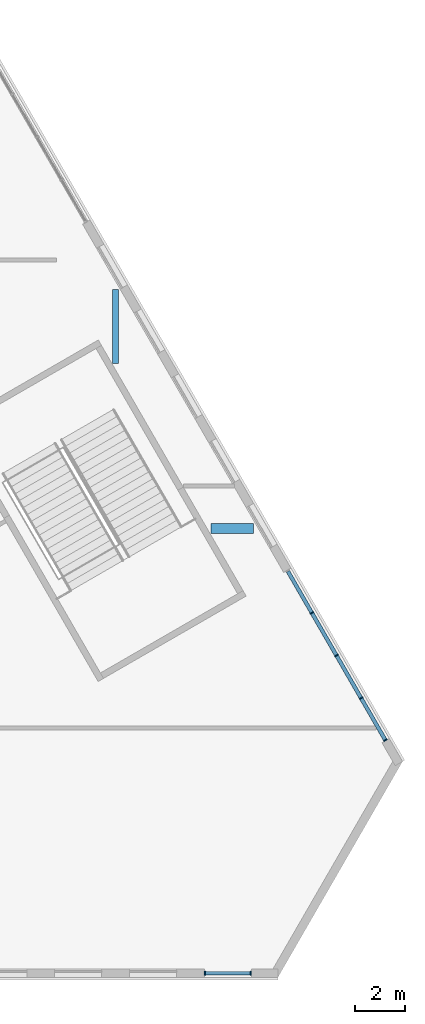
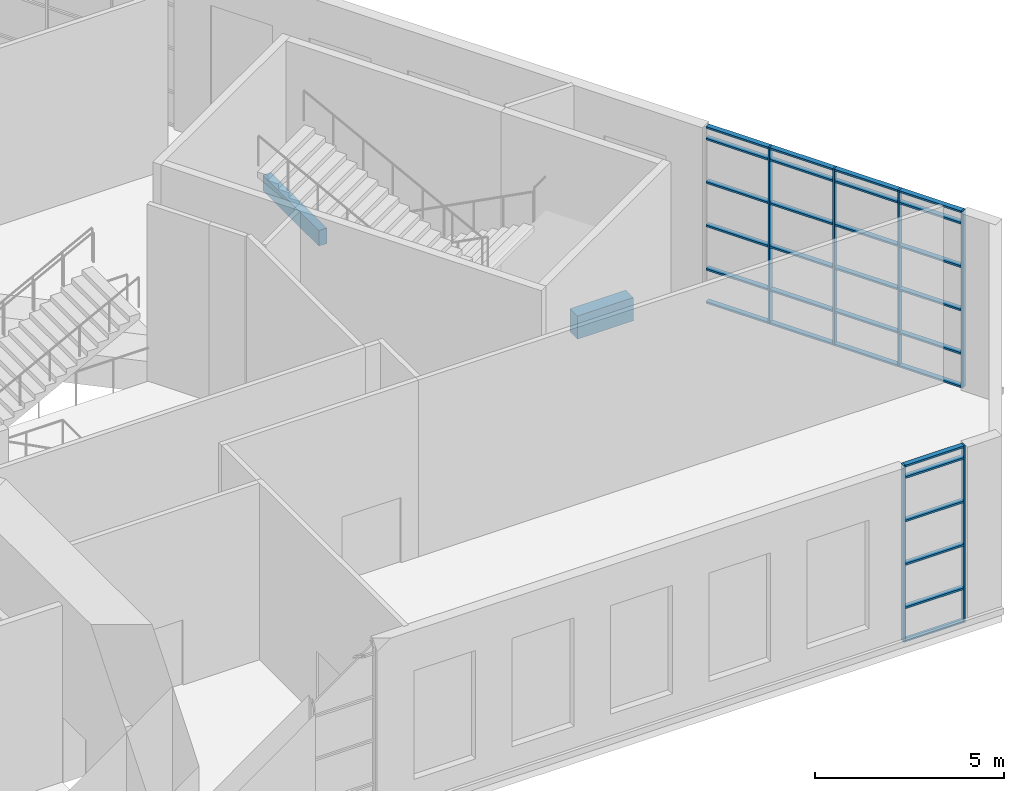
# One storey, part 8 of 27: 36 members, 2 beams, 2 elements without a shape of their own.
"""IFC4 building model written with IfcOpenShell, lengths in metres."""

from ifc_helpers import new_model, si_unit, direction, frame, origin, origin_2d, place, context, subcontext, project, spatial, rectangle, extrude, material, material_profile, profile_set, type_object, element, aggregate, save


model = new_model("IFC4")

# Units and contexts
model_context = context("Model", 3, precision=1e-05, world=origin(), true_north=direction((0.0, 1.0)))
body_context = subcontext(model_context, "Body", "Model", "MODEL_VIEW")
ifc_project = project(units=[si_unit("LENGTHUNIT", "METRE"), si_unit("AREAUNIT", "SQUARE_METRE"), si_unit("VOLUMEUNIT", "CUBIC_METRE"), si_unit("PLANEANGLEUNIT", "RADIAN"), si_unit("MASSUNIT", "GRAM", prefix="KILO")], contexts=[model_context])

# Site, building, storey
site_placement = place(None, origin())
site = spatial("IfcSite", under=ifc_project, at=site_placement, CompositionType="ELEMENT")
building_placement = place(site_placement, origin())
building = spatial("IfcBuilding", under=site, at=building_placement, Name="Fogline Exchange Tower", CompositionType="ELEMENT")
storey_placement = place(building_placement, frame((0.0, 0.0, 8.0)))
storey = spatial("IfcBuildingStorey", under=building, at=storey_placement, Name="L01", CompositionType="ELEMENT", Elevation=8.0)

# Beams
ifc_material_1 = material(Name="Concrete C40", Category="concrete")
ifc_material_profile_1 = material_profile(ifc_material_1, rectangle(XDim=0.39990234375, YDim=0.75, at=origin_2d()), Name="RC 400x750")
ifc_profile_set_1 = profile_set([ifc_material_profile_1], Name="Concrete C40")
beam_type_1 = type_object("IfcBeamType", Name="B05", PredefinedType="BEAM", material=ifc_profile_set_1)
beam_1_placement = place(storey_placement, frame((35.327392578125, 18.0, -0.675048828125), z_axis=(1.0, 0.0, 0.0), x_axis=(0.0, 1.0, 0.0)))
element("IfcBeam", 1, at=beam_1_placement, inside=storey, type_object=beam_type_1, Name="GB004", PredefinedType="BEAM", context=body_context, shape_type="SweptSolid", body=[
    extrude(rectangle(XDim=0.39990234375, YDim=0.75, at=origin_2d()), origin(), (0.0, 0.0, 1.0), 1.702880859375),
])
ifc_material_profile_2 = material_profile(ifc_material_1, rectangle(XDim=0.25, YDim=0.5, at=origin_2d()), Name="RC 250x500")
ifc_profile_set_2 = profile_set([ifc_material_profile_2], Name="Concrete C40")
beam_type_2 = type_object("IfcBeamType", Name="B08", PredefinedType="BEAM", material=ifc_profile_set_2)
beam_2_placement = place(storey_placement, frame((31.5, 24.619384765625, -0.550048828125), z_axis=(0.0, 1.0, 0.0), x_axis=(-1.0, 0.0, 0.0)))
element("IfcBeam", 2, at=beam_2_placement, inside=storey, type_object=beam_type_2, Name="SB047", PredefinedType="BEAM", context=body_context, shape_type="SweptSolid", body=[
    extrude(rectangle(XDim=0.25, YDim=0.5, at=origin_2d()), origin(), (0.0, 0.0, 1.0), 2.95947265625),
])

# Curtain wall, members
ifc_material_2 = material(Name="Aluminium and glass", Category="aluminium")
curtain_wall_type = type_object("IfcCurtainWallType", Name="CW3", PredefinedType="NOTDEFINED", material=ifc_material_2)
curtain_wall_1_placement = place(storey_placement, origin())
curtain_wall_1 = element("IfcCurtainWall", 3, at=curtain_wall_1_placement, inside=storey, type_object=curtain_wall_type, Name="CW3 L01 S run 3", PredefinedType="NOTDEFINED")
ifc_material_3 = material(Name="Aluminium", Category="aluminium")
ifc_material_profile_3 = material_profile(ifc_material_3, rectangle(XDim=0.14990234375, YDim=0.050048828125, at=origin_2d()), Name="Mullion 50x150")
ifc_profile_set_3 = profile_set([ifc_material_profile_3], Name="Aluminium")
member_type_1 = type_object("IfcMemberType", Name="CW3-M", PredefinedType="MULLION", material=ifc_profile_set_3)
member_1_placement = place(storey_placement, frame((35.08251953125, 0.169921875, 0.0), z_axis=(0.0, 0.0, 1.0), x_axis=(0.0, 1.0, 0.0)))
member_1 = element("IfcMember", 4, at=member_1_placement, type_object=member_type_1, Name="CW3-P01-03 mullion 1", PredefinedType="MULLION", context=body_context, shape_type="SweptSolid", body=[
    extrude(rectangle(XDim=0.14990234375, YDim=0.050048828125, at=origin_2d()), origin(), (0.0, 0.0, 1.0), 5.699951171875),
])
member_2_placement = place(storey_placement, frame((36.91748046875, 0.169921875, 0.0), z_axis=(0.0, 0.0, 1.0), x_axis=(0.0, 1.0, 0.0)))
member_2 = element("IfcMember", 5, at=member_2_placement, type_object=member_type_1, Name="CW3-P01-03 mullion 2", PredefinedType="MULLION", context=body_context, shape_type="SweptSolid", body=[
    extrude(rectangle(XDim=0.14990234375, YDim=0.050048828125, at=origin_2d()), origin(), (0.0, 0.0, 1.0), 5.699951171875),
])

curtain_wall_2_placement = place(storey_placement, origin())
curtain_wall_2 = element("IfcCurtainWall", 6, at=curtain_wall_2_placement, inside=storey, type_object=curtain_wall_type, Name="CW3 L01 E run 1", PredefinedType="NOTDEFINED")
member_3_placement = place(storey_placement, frame((42.3115234375, 9.5126953125, 0.0), z_axis=(0.0, 0.0, 1.0), x_axis=(-0.866025393993, -0.500000016959, 0.0)))
member_3 = element("IfcMember", 7, at=member_3_placement, type_object=member_type_1, Name="CW3-P01-04 mullion 1", PredefinedType="MULLION", context=body_context, shape_type="SweptSolid", body=[
    extrude(rectangle(XDim=0.14990234375, YDim=0.050048828125, at=origin_2d()), origin(), (0.0, 0.0, 1.0), 5.699951171875),
])
member_4_placement = place(storey_placement, frame((41.33837890625, 11.1982421875, 0.0), z_axis=(0.0, 0.0, 1.0), x_axis=(-0.866025393993, -0.500000016959, 0.0)))
member_4 = element("IfcMember", 8, at=member_4_placement, type_object=member_type_1, Name="CW3-P01-04 mullion 2", PredefinedType="MULLION", context=body_context, shape_type="SweptSolid", body=[
    extrude(rectangle(XDim=0.14990234375, YDim=0.050048828125, at=origin_2d()), origin(), (0.0, 0.0, 1.0), 5.699951171875),
])
member_5_placement = place(storey_placement, frame((40.352783203125, 12.9052734375, 0.0), z_axis=(0.0, 0.0, 1.0), x_axis=(-0.866025393993, -0.500000016959, 0.0)))
member_5 = element("IfcMember", 9, at=member_5_placement, type_object=member_type_1, Name="CW3-P01-04 mullion 3", PredefinedType="MULLION", context=body_context, shape_type="SweptSolid", body=[
    extrude(rectangle(XDim=0.14990234375, YDim=0.050048828125, at=origin_2d()), origin(), (0.0, 0.0, 1.0), 5.699951171875),
])
member_6_placement = place(storey_placement, frame((39.3671875, 14.612548828125, 0.0), z_axis=(0.0, 0.0, 1.0), x_axis=(-0.866025393993, -0.500000016959, 0.0)))
member_6 = element("IfcMember", 10, at=member_6_placement, type_object=member_type_1, Name="CW3-P01-04 mullion 4", PredefinedType="MULLION", context=body_context, shape_type="SweptSolid", body=[
    extrude(rectangle(XDim=0.14990234375, YDim=0.050048828125, at=origin_2d()), origin(), (0.0, 0.0, 1.0), 5.699951171875),
])

# Member
ifc_material_profile_4 = material_profile(ifc_material_3, rectangle(XDim=0.14990234375, YDim=0.06005859375, at=origin_2d()), Name="Transom 60x150")
ifc_profile_set_4 = profile_set([ifc_material_profile_4], Name="Aluminium")
member_type_2 = type_object("IfcMemberType", Name="CW3-T", PredefinedType="USERDEFINED", material=ifc_profile_set_4)
member_7_placement = place(storey_placement, frame((35.107421875, 0.169921875, 0.030029296875), z_axis=(1.0, 0.0, 0.0), x_axis=(0.0, 1.0, 0.0)))
member_7 = element("IfcMember", 11, at=member_7_placement, type_object=member_type_2, Name="CW3-P01-03 transom 1.1", ObjectType="TRANSOM", PredefinedType="USERDEFINED", context=body_context, shape_type="SweptSolid", body=[
    extrude(rectangle(XDim=0.14990234375, YDim=0.06005859375, at=origin_2d()), origin(), (0.0, 0.0, 1.0), 1.78515625),
])

member_8_placement = place(storey_placement, frame((35.107421875, 0.169921875, 1.10009765625), z_axis=(1.0, 0.0, 0.0), x_axis=(0.0, 1.0, 0.0)))
member_8 = element("IfcMember", 12, at=member_8_placement, type_object=member_type_2, Name="CW3-P01-03 transom 1.2", ObjectType="TRANSOM", PredefinedType="USERDEFINED", context=body_context, shape_type="SweptSolid", body=[
    extrude(rectangle(XDim=0.14990234375, YDim=0.06005859375, at=origin_2d()), origin(), (0.0, 0.0, 1.0), 1.78515625),
])

member_9_placement = place(storey_placement, frame((35.107421875, 0.169921875, 2.5), z_axis=(1.0, 0.0, 0.0), x_axis=(0.0, 1.0, 0.0)))
member_9 = element("IfcMember", 13, at=member_9_placement, type_object=member_type_2, Name="CW3-P01-03 transom 1.3", ObjectType="TRANSOM", PredefinedType="USERDEFINED", context=body_context, shape_type="SweptSolid", body=[
    extrude(rectangle(XDim=0.14990234375, YDim=0.06005859375, at=origin_2d()), origin(), (0.0, 0.0, 1.0), 1.78515625),
])

member_10_placement = place(storey_placement, frame((35.107421875, 0.169921875, 3.89990234375), z_axis=(1.0, 0.0, 0.0), x_axis=(0.0, 1.0, 0.0)))
member_10 = element("IfcMember", 14, at=member_10_placement, type_object=member_type_2, Name="CW3-P01-03 transom 1.4", ObjectType="TRANSOM", PredefinedType="USERDEFINED", context=body_context, shape_type="SweptSolid", body=[
    extrude(rectangle(XDim=0.14990234375, YDim=0.06005859375, at=origin_2d()), origin(), (0.0, 0.0, 1.0), 1.78515625),
])

member_11_placement = place(storey_placement, frame((35.107421875, 0.169921875, 5.300048828125), z_axis=(1.0, 0.0, 0.0), x_axis=(0.0, 1.0, 0.0)))
member_11 = element("IfcMember", 15, at=member_11_placement, type_object=member_type_2, Name="CW3-P01-03 transom 1.5", ObjectType="TRANSOM", PredefinedType="USERDEFINED", context=body_context, shape_type="SweptSolid", body=[
    extrude(rectangle(XDim=0.14990234375, YDim=0.06005859375, at=origin_2d()), origin(), (0.0, 0.0, 1.0), 1.78515625),
])

member_12_placement = place(storey_placement, frame((35.107421875, 0.169921875, 5.669921875), z_axis=(1.0, 0.0, 0.0), x_axis=(0.0, 1.0, 0.0)))
member_12 = element("IfcMember", 16, at=member_12_placement, type_object=member_type_2, Name="CW3-P01-03 transom 1.6", ObjectType="TRANSOM", PredefinedType="USERDEFINED", context=body_context, shape_type="SweptSolid", body=[
    extrude(rectangle(XDim=0.14990234375, YDim=0.06005859375, at=origin_2d()), origin(), (0.0, 0.0, 1.0), 1.78515625),
])

aggregate(curtain_wall_1, [member_1, member_2, member_7, member_8, member_9, member_10, member_11, member_12])

member_13_placement = place(storey_placement, frame((42.299072265625, 9.534423828125, 0.030029296875), z_axis=(-0.500071657253, 0.865984028497, 0.0), x_axis=(-0.865984028497, -0.500071657253, 0.0)))
member_13 = element("IfcMember", 17, at=member_13_placement, type_object=member_type_2, Name="CW3-P01-04 transom 1.1", ObjectType="TRANSOM", PredefinedType="USERDEFINED", context=body_context, shape_type="SweptSolid", body=[
    extrude(rectangle(XDim=0.14990234375, YDim=0.06005859375, at=origin_2d()), origin(), (0.0, 0.0, 1.0), 1.896240234375),
])

member_14_placement = place(storey_placement, frame((42.299072265625, 9.534423828125, 1.10009765625), z_axis=(-0.500071657253, 0.865984028497, 0.0), x_axis=(-0.865984028497, -0.500071657253, 0.0)))
member_14 = element("IfcMember", 18, at=member_14_placement, type_object=member_type_2, Name="CW3-P01-04 transom 1.2", ObjectType="TRANSOM", PredefinedType="USERDEFINED", context=body_context, shape_type="SweptSolid", body=[
    extrude(rectangle(XDim=0.14990234375, YDim=0.06005859375, at=origin_2d()), origin(), (0.0, 0.0, 1.0), 1.896240234375),
])

member_15_placement = place(storey_placement, frame((42.299072265625, 9.534423828125, 2.5), z_axis=(-0.500071657253, 0.865984028497, 0.0), x_axis=(-0.865984028497, -0.500071657253, 0.0)))
member_15 = element("IfcMember", 19, at=member_15_placement, type_object=member_type_2, Name="CW3-P01-04 transom 1.3", ObjectType="TRANSOM", PredefinedType="USERDEFINED", context=body_context, shape_type="SweptSolid", body=[
    extrude(rectangle(XDim=0.14990234375, YDim=0.06005859375, at=origin_2d()), origin(), (0.0, 0.0, 1.0), 1.896240234375),
])

member_16_placement = place(storey_placement, frame((42.299072265625, 9.534423828125, 3.89990234375), z_axis=(-0.500071657253, 0.865984028497, 0.0), x_axis=(-0.865984028497, -0.500071657253, 0.0)))
member_16 = element("IfcMember", 20, at=member_16_placement, type_object=member_type_2, Name="CW3-P01-04 transom 1.4", ObjectType="TRANSOM", PredefinedType="USERDEFINED", context=body_context, shape_type="SweptSolid", body=[
    extrude(rectangle(XDim=0.14990234375, YDim=0.06005859375, at=origin_2d()), origin(), (0.0, 0.0, 1.0), 1.896240234375),
])

member_17_placement = place(storey_placement, frame((42.299072265625, 9.534423828125, 5.300048828125), z_axis=(-0.500071657253, 0.865984028497, 0.0), x_axis=(-0.865984028497, -0.500071657253, 0.0)))
member_17 = element("IfcMember", 21, at=member_17_placement, type_object=member_type_2, Name="CW3-P01-04 transom 1.5", ObjectType="TRANSOM", PredefinedType="USERDEFINED", context=body_context, shape_type="SweptSolid", body=[
    extrude(rectangle(XDim=0.14990234375, YDim=0.06005859375, at=origin_2d()), origin(), (0.0, 0.0, 1.0), 1.896240234375),
])

member_18_placement = place(storey_placement, frame((42.299072265625, 9.534423828125, 5.669921875), z_axis=(-0.500071657253, 0.865984028497, 0.0), x_axis=(-0.865984028497, -0.500071657253, 0.0)))
member_18 = element("IfcMember", 22, at=member_18_placement, type_object=member_type_2, Name="CW3-P01-04 transom 1.6", ObjectType="TRANSOM", PredefinedType="USERDEFINED", context=body_context, shape_type="SweptSolid", body=[
    extrude(rectangle(XDim=0.14990234375, YDim=0.06005859375, at=origin_2d()), origin(), (0.0, 0.0, 1.0), 1.896240234375),
])

member_19_placement = place(storey_placement, frame((41.325927734375, 11.219970703125, 0.030029296875), z_axis=(-0.500034110783, 0.866005709019, 0.0), x_axis=(-0.866005709019, -0.500034110783, 0.0)))
member_19 = element("IfcMember", 23, at=member_19_placement, type_object=member_type_2, Name="CW3-P01-04 transom 2.1", ObjectType="TRANSOM", PredefinedType="USERDEFINED", context=body_context, shape_type="SweptSolid", body=[
    extrude(rectangle(XDim=0.14990234375, YDim=0.06005859375, at=origin_2d()), origin(), (0.0, 0.0, 1.0), 1.921142578125),
])

member_20_placement = place(storey_placement, frame((41.325927734375, 11.219970703125, 1.10009765625), z_axis=(-0.500034110783, 0.866005709019, 0.0), x_axis=(-0.866005709019, -0.500034110783, 0.0)))
member_20 = element("IfcMember", 24, at=member_20_placement, type_object=member_type_2, Name="CW3-P01-04 transom 2.2", ObjectType="TRANSOM", PredefinedType="USERDEFINED", context=body_context, shape_type="SweptSolid", body=[
    extrude(rectangle(XDim=0.14990234375, YDim=0.06005859375, at=origin_2d()), origin(), (0.0, 0.0, 1.0), 1.921142578125),
])

member_21_placement = place(storey_placement, frame((41.325927734375, 11.219970703125, 2.5), z_axis=(-0.500034110783, 0.866005709019, 0.0), x_axis=(-0.866005709019, -0.500034110783, 0.0)))
member_21 = element("IfcMember", 25, at=member_21_placement, type_object=member_type_2, Name="CW3-P01-04 transom 2.3", ObjectType="TRANSOM", PredefinedType="USERDEFINED", context=body_context, shape_type="SweptSolid", body=[
    extrude(rectangle(XDim=0.14990234375, YDim=0.06005859375, at=origin_2d()), origin(), (0.0, 0.0, 1.0), 1.921142578125),
])

member_22_placement = place(storey_placement, frame((41.325927734375, 11.219970703125, 3.89990234375), z_axis=(-0.500034110783, 0.866005709019, 0.0), x_axis=(-0.866005709019, -0.500034110783, 0.0)))
member_22 = element("IfcMember", 26, at=member_22_placement, type_object=member_type_2, Name="CW3-P01-04 transom 2.4", ObjectType="TRANSOM", PredefinedType="USERDEFINED", context=body_context, shape_type="SweptSolid", body=[
    extrude(rectangle(XDim=0.14990234375, YDim=0.06005859375, at=origin_2d()), origin(), (0.0, 0.0, 1.0), 1.921142578125),
])

member_23_placement = place(storey_placement, frame((41.325927734375, 11.219970703125, 5.300048828125), z_axis=(-0.500034110783, 0.866005709019, 0.0), x_axis=(-0.866005709019, -0.500034110783, 0.0)))
member_23 = element("IfcMember", 27, at=member_23_placement, type_object=member_type_2, Name="CW3-P01-04 transom 2.5", ObjectType="TRANSOM", PredefinedType="USERDEFINED", context=body_context, shape_type="SweptSolid", body=[
    extrude(rectangle(XDim=0.14990234375, YDim=0.06005859375, at=origin_2d()), origin(), (0.0, 0.0, 1.0), 1.921142578125),
])

member_24_placement = place(storey_placement, frame((41.325927734375, 11.219970703125, 5.669921875), z_axis=(-0.500034110783, 0.866005709019, 0.0), x_axis=(-0.866005709019, -0.500034110783, 0.0)))
member_24 = element("IfcMember", 28, at=member_24_placement, type_object=member_type_2, Name="CW3-P01-04 transom 2.6", ObjectType="TRANSOM", PredefinedType="USERDEFINED", context=body_context, shape_type="SweptSolid", body=[
    extrude(rectangle(XDim=0.14990234375, YDim=0.06005859375, at=origin_2d()), origin(), (0.0, 0.0, 1.0), 1.921142578125),
])

member_25_placement = place(storey_placement, frame((40.34033203125, 12.927001953125, 0.030029296875), z_axis=(-0.500034110783, 0.866005709019, 0.0), x_axis=(-0.866005709019, -0.500034110783, 0.0)))
member_25 = element("IfcMember", 29, at=member_25_placement, type_object=member_type_2, Name="CW3-P01-04 transom 3.1", ObjectType="TRANSOM", PredefinedType="USERDEFINED", context=body_context, shape_type="SweptSolid", body=[
    extrude(rectangle(XDim=0.14990234375, YDim=0.06005859375, at=origin_2d()), origin(), (0.0, 0.0, 1.0), 1.921142578125),
])

member_26_placement = place(storey_placement, frame((40.34033203125, 12.927001953125, 1.10009765625), z_axis=(-0.500034110783, 0.866005709019, 0.0), x_axis=(-0.866005709019, -0.500034110783, 0.0)))
member_26 = element("IfcMember", 30, at=member_26_placement, type_object=member_type_2, Name="CW3-P01-04 transom 3.2", ObjectType="TRANSOM", PredefinedType="USERDEFINED", context=body_context, shape_type="SweptSolid", body=[
    extrude(rectangle(XDim=0.14990234375, YDim=0.06005859375, at=origin_2d()), origin(), (0.0, 0.0, 1.0), 1.921142578125),
])

member_27_placement = place(storey_placement, frame((40.34033203125, 12.927001953125, 2.5), z_axis=(-0.500034110783, 0.866005709019, 0.0), x_axis=(-0.866005709019, -0.500034110783, 0.0)))
member_27 = element("IfcMember", 31, at=member_27_placement, type_object=member_type_2, Name="CW3-P01-04 transom 3.3", ObjectType="TRANSOM", PredefinedType="USERDEFINED", context=body_context, shape_type="SweptSolid", body=[
    extrude(rectangle(XDim=0.14990234375, YDim=0.06005859375, at=origin_2d()), origin(), (0.0, 0.0, 1.0), 1.921142578125),
])

member_28_placement = place(storey_placement, frame((40.34033203125, 12.927001953125, 3.89990234375), z_axis=(-0.500034110783, 0.866005709019, 0.0), x_axis=(-0.866005709019, -0.500034110783, 0.0)))
member_28 = element("IfcMember", 32, at=member_28_placement, type_object=member_type_2, Name="CW3-P01-04 transom 3.4", ObjectType="TRANSOM", PredefinedType="USERDEFINED", context=body_context, shape_type="SweptSolid", body=[
    extrude(rectangle(XDim=0.14990234375, YDim=0.06005859375, at=origin_2d()), origin(), (0.0, 0.0, 1.0), 1.921142578125),
])

member_29_placement = place(storey_placement, frame((40.34033203125, 12.927001953125, 5.300048828125), z_axis=(-0.500034110783, 0.866005709019, 0.0), x_axis=(-0.866005709019, -0.500034110783, 0.0)))
member_29 = element("IfcMember", 33, at=member_29_placement, type_object=member_type_2, Name="CW3-P01-04 transom 3.5", ObjectType="TRANSOM", PredefinedType="USERDEFINED", context=body_context, shape_type="SweptSolid", body=[
    extrude(rectangle(XDim=0.14990234375, YDim=0.06005859375, at=origin_2d()), origin(), (0.0, 0.0, 1.0), 1.921142578125),
])

member_30_placement = place(storey_placement, frame((40.34033203125, 12.927001953125, 5.669921875), z_axis=(-0.500034110783, 0.866005709019, 0.0), x_axis=(-0.866005709019, -0.500034110783, 0.0)))
member_30 = element("IfcMember", 34, at=member_30_placement, type_object=member_type_2, Name="CW3-P01-04 transom 3.6", ObjectType="TRANSOM", PredefinedType="USERDEFINED", context=body_context, shape_type="SweptSolid", body=[
    extrude(rectangle(XDim=0.14990234375, YDim=0.06005859375, at=origin_2d()), origin(), (0.0, 0.0, 1.0), 1.921142578125),
])

member_31_placement = place(storey_placement, frame((39.354736328125, 14.63427734375, 0.030029296875), z_axis=(-0.500071657253, 0.865984028497, 0.0), x_axis=(-0.865984028497, -0.500071657253, 0.0)))
member_31 = element("IfcMember", 35, at=member_31_placement, type_object=member_type_2, Name="CW3-P01-04 transom 4.1", ObjectType="TRANSOM", PredefinedType="USERDEFINED", context=body_context, shape_type="SweptSolid", body=[
    extrude(rectangle(XDim=0.14990234375, YDim=0.06005859375, at=origin_2d()), origin(), (0.0, 0.0, 1.0), 1.896240234375),
])

member_32_placement = place(storey_placement, frame((39.354736328125, 14.63427734375, 1.10009765625), z_axis=(-0.500071657253, 0.865984028497, 0.0), x_axis=(-0.865984028497, -0.500071657253, 0.0)))
member_32 = element("IfcMember", 36, at=member_32_placement, type_object=member_type_2, Name="CW3-P01-04 transom 4.2", ObjectType="TRANSOM", PredefinedType="USERDEFINED", context=body_context, shape_type="SweptSolid", body=[
    extrude(rectangle(XDim=0.14990234375, YDim=0.06005859375, at=origin_2d()), origin(), (0.0, 0.0, 1.0), 1.896240234375),
])

member_33_placement = place(storey_placement, frame((39.354736328125, 14.63427734375, 2.5), z_axis=(-0.500071657253, 0.865984028497, 0.0), x_axis=(-0.865984028497, -0.500071657253, 0.0)))
member_33 = element("IfcMember", 37, at=member_33_placement, type_object=member_type_2, Name="CW3-P01-04 transom 4.3", ObjectType="TRANSOM", PredefinedType="USERDEFINED", context=body_context, shape_type="SweptSolid", body=[
    extrude(rectangle(XDim=0.14990234375, YDim=0.06005859375, at=origin_2d()), origin(), (0.0, 0.0, 1.0), 1.896240234375),
])

member_34_placement = place(storey_placement, frame((39.354736328125, 14.63427734375, 3.89990234375), z_axis=(-0.500071657253, 0.865984028497, 0.0), x_axis=(-0.865984028497, -0.500071657253, 0.0)))
member_34 = element("IfcMember", 38, at=member_34_placement, type_object=member_type_2, Name="CW3-P01-04 transom 4.4", ObjectType="TRANSOM", PredefinedType="USERDEFINED", context=body_context, shape_type="SweptSolid", body=[
    extrude(rectangle(XDim=0.14990234375, YDim=0.06005859375, at=origin_2d()), origin(), (0.0, 0.0, 1.0), 1.896240234375),
])

member_35_placement = place(storey_placement, frame((39.354736328125, 14.63427734375, 5.300048828125), z_axis=(-0.500071657253, 0.865984028497, 0.0), x_axis=(-0.865984028497, -0.500071657253, 0.0)))
member_35 = element("IfcMember", 39, at=member_35_placement, type_object=member_type_2, Name="CW3-P01-04 transom 4.5", ObjectType="TRANSOM", PredefinedType="USERDEFINED", context=body_context, shape_type="SweptSolid", body=[
    extrude(rectangle(XDim=0.14990234375, YDim=0.06005859375, at=origin_2d()), origin(), (0.0, 0.0, 1.0), 1.896240234375),
])

member_36_placement = place(storey_placement, frame((39.354736328125, 14.63427734375, 5.669921875), z_axis=(-0.500071657253, 0.865984028497, 0.0), x_axis=(-0.865984028497, -0.500071657253, 0.0)))
member_36 = element("IfcMember", 40, at=member_36_placement, type_object=member_type_2, Name="CW3-P01-04 transom 4.6", ObjectType="TRANSOM", PredefinedType="USERDEFINED", context=body_context, shape_type="SweptSolid", body=[
    extrude(rectangle(XDim=0.14990234375, YDim=0.06005859375, at=origin_2d()), origin(), (0.0, 0.0, 1.0), 1.896240234375),
])

aggregate(curtain_wall_2, [member_3, member_4, member_5, member_6, member_13, member_14, member_15, member_16, member_17, member_18, member_19, member_20, member_21, member_22, member_23, member_24, member_25, member_26, member_27, member_28, member_29, member_30, member_31, member_32, member_33, member_34, member_35, member_36])

save(model, "model.ifc")
